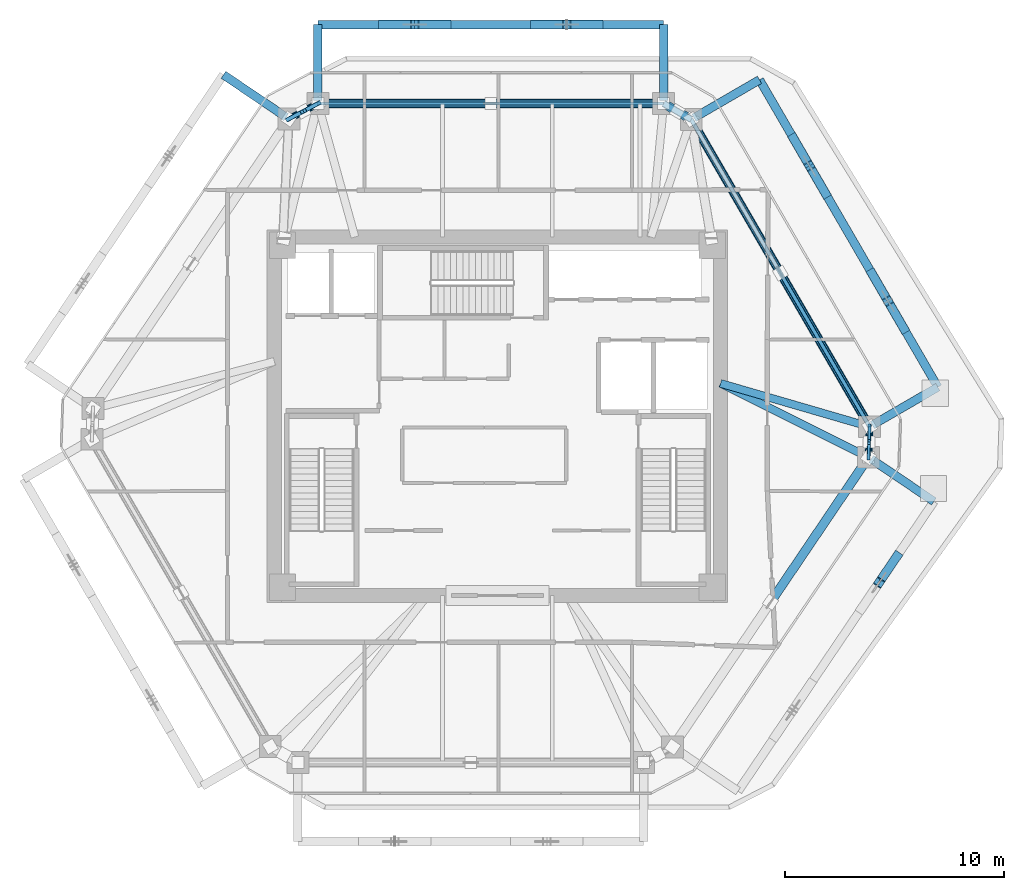
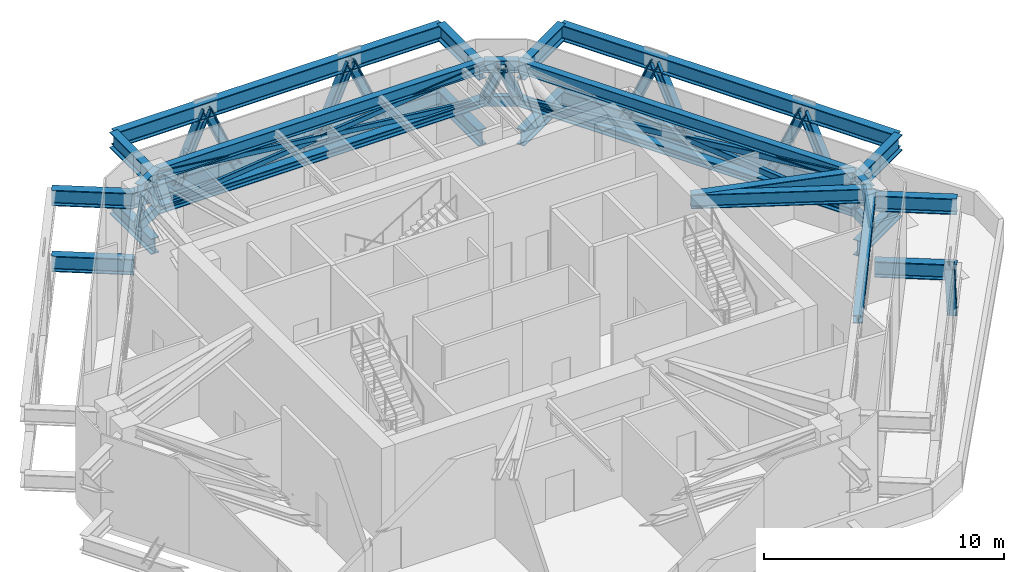
# One storey, part 3 of 10: 26 members, 23 beams.
"""IFC4 building model written with IfcOpenShell, lengths in metres."""

from ifc_helpers import new_model, si_unit, direction, frame, origin, origin_2d, place, context, subcontext, project, spatial, hollow_rectangle, i_section, extrude, source, transform, mapped, material, material_profile, profile_set, type_object, type_shapes, element, save


model = new_model("IFC4")

# Units and contexts
model_context = context("Model", 3, precision=1e-05, world=origin(), true_north=direction((0.0, 1.0)))
body_context = subcontext(model_context, "Body", "Model", "MODEL_VIEW")
ifc_project = project(units=[si_unit("LENGTHUNIT", "METRE"), si_unit("AREAUNIT", "SQUARE_METRE"), si_unit("VOLUMEUNIT", "CUBIC_METRE"), si_unit("PLANEANGLEUNIT", "RADIAN"), si_unit("MASSUNIT", "GRAM", prefix="KILO")], contexts=[model_context])

# Site, building, storey
site_placement = place(None, origin())
site = spatial("IfcSite", under=ifc_project, at=site_placement, CompositionType="ELEMENT")
building_placement = place(site_placement, origin())
building = spatial("IfcBuilding", under=site, at=building_placement, Name="Durnholm Broadcast Tower", CompositionType="ELEMENT")
storey_placement = place(building_placement, frame((0.0, 0.0, 213.39990234375)))
storey = spatial("IfcBuildingStorey", under=building, at=storey_placement, Name="L59", CompositionType="ELEMENT", Elevation=213.39990234375)

# Beams
ifc_material_1 = material(Name="Steel ASTM A992 Grade 50", Category="steel")
ifc_material_profile_1 = material_profile(ifc_material_1, i_section(OverallWidth=0.385009765625, OverallDepth=0.802978515625, WebThickness=0.023681640625, FlangeThickness=0.0419921875, FilletRadius=0.032958984375, at=origin_2d()), Name="W30X261")
ifc_profile_set_1 = profile_set([ifc_material_profile_1], Name="Steel ASTM A992 Grade 50")
beam_type_1 = type_object("IfcBeamType", Name="BM-EXO-TIE", PredefinedType="USERDEFINED", material=ifc_profile_set_1)
shared_shape_1 = source(origin(), body_context, "Body", "SweptSolid", [
    extrude(i_section(OverallWidth=0.385009765625, OverallDepth=0.802978515625, WebThickness=0.023681640625, FlangeThickness=0.0419921875, FilletRadius=0.032958984375, at=origin_2d()), origin(), (0.0, 0.0, 1.0), 3.4560546875),
])
for number, where, z_axis, x_axis, name in (
    (1, (17.0947265625, -0.40380859375, 0.550048828125), (0.864924479231, 0.501902027518, 0.0), (-0.501902027518, 0.864924479231, 0.0), "L59 zone-base exoskeleton stand-off tie bracket F3.1"),
    (2, (17.0947265625, -0.40380859375, 3.90869140625), (0.864924479231, 0.501902027518, 0.0), (-0.501902027518, 0.864924479231, 0.0), "L59 exoskeleton stand-off tie bracket F3.1"),
    (3, (7.57958984375, 14.406005859375, 0.550048828125), (0.0, 1.0, 0.0), (-1.0, 0.0, 0.0), "L59 zone-base exoskeleton stand-off tie bracket F4.1"),
    (4, (-8.187744140625, 14.406005859375, 0.550048828125), (0.0, 1.0, 0.0), (-1.0, 0.0, 0.0), "L59 zone-base exoskeleton stand-off tie bracket F4.2"),
    (5, (7.57958984375, 14.406005859375, 3.90869140625), (0.0, 1.0, 0.0), (-1.0, 0.0, 0.0), "L59 exoskeleton stand-off tie bracket F4.1"),
    (6, (-8.187744140625, 14.406005859375, 3.90869140625), (0.0, 1.0, 0.0), (-1.0, 0.0, 0.0), "L59 exoskeleton stand-off tie bracket F4.2"),
):
    element("IfcBeam", number, at=place(storey_placement, frame(where, z_axis=z_axis, x_axis=x_axis)), inside=storey, type_object=beam_type_1, Name=name, ObjectType="GIRDER", PredefinedType="USERDEFINED", context=body_context, shape_type="MappedRepresentation", body=[
        mapped(shared_shape_1, transform((0.0, 0.0, 0.0), x_axis=(1.0, 0.0, 0.0), y_axis=(0.0, 1.0, 0.0), z_axis=(0.0, 0.0, 1.0), scale=1.0)),
    ])
shared_shape_2 = source(origin(), body_context, "Body", "SweptSolid", [
    extrude(i_section(OverallWidth=0.385009765625, OverallDepth=0.802978515625, WebThickness=0.023681640625, FlangeThickness=0.0419921875, FilletRadius=0.032958984375, at=origin_2d()), origin(), (0.0, 0.0, 1.0), 3.455810546875),
])
for number, where, z_axis, x_axis, name in (
    (7, (17.041748046875, -1.95068359375, 0.550048828125), (0.828446342252, -0.560068440469, 0.0), (0.560068440469, 0.828446342252, 0.0), "L59 zone-base exoskeleton stand-off tie bracket F2.2"),
    (8, (17.041748046875, -1.95068359375, 3.90869140625), (0.828446342252, -0.560068440469, 0.0), (0.560068440469, 0.828446342252, 0.0), "L59 exoskeleton stand-off tie bracket F2.2"),
    (9, (8.9619140625, 13.610107421875, 0.550048828125), (0.864906682814, 0.501932694715, 0.0), (-0.501932694715, 0.864906682814, 0.0), "L59 zone-base exoskeleton stand-off tie bracket F3.2"),
    (10, (8.9619140625, 13.610107421875, 3.90869140625), (0.864906682814, 0.501932694715, 0.0), (-0.501932694715, 0.864906682814, 0.0), "L59 exoskeleton stand-off tie bracket F3.2"),
    (11, (-9.63427734375, 13.637939453125, 0.550048828125), (-0.828446342252, 0.560068440469, 0.0), (-0.560068440469, -0.828446342252, 0.0), "L59 zone-base exoskeleton stand-off tie bracket F5.1"),
    (12, (-9.63427734375, 13.637939453125, 3.90869140625), (-0.828446342252, 0.560068440469, 0.0), (-0.560068440469, -0.828446342252, 0.0), "L59 exoskeleton stand-off tie bracket F5.1"),
):
    element("IfcBeam", number, at=place(storey_placement, frame(where, z_axis=z_axis, x_axis=x_axis)), inside=storey, type_object=beam_type_1, Name=name, ObjectType="GIRDER", PredefinedType="USERDEFINED", context=body_context, shape_type="MappedRepresentation", body=[
        mapped(shared_shape_2, transform((0.0, 0.0, 0.0), x_axis=(1.0, 0.0, 0.0), y_axis=(0.0, 1.0, 0.0), z_axis=(0.0, 0.0, 1.0), scale=1.0)),
    ])
ifc_material_profile_2 = material_profile(ifc_material_1, i_section(OverallWidth=0.3251953125, OverallDepth=0.6162109375, WebThickness=0.013916015625, FlangeThickness=0.021484375, FilletRadius=0.02783203125, at=origin_2d()), Name="W24X117")
ifc_profile_set_2 = profile_set([ifc_material_profile_2], Name="Steel ASTM A992 Grade 50")
beam_type_2 = type_object("IfcBeamType", Name="STL-SP-W24X117", PredefinedType="SPANDREL", material=ifc_profile_set_2)
shared_shape_3 = source(origin(), body_context, "Body", "SweptSolid", [
    extrude(i_section(OverallWidth=0.3251953125, OverallDepth=0.6162109375, WebThickness=0.013916015625, FlangeThickness=0.021484375, FilletRadius=0.02783203125, at=origin_2d()), origin(), (0.0, 0.0, 1.0), 1.39453125),
])
beam_1_placement = place(storey_placement, frame((16.97021484375, -0.47607421875, 4.3369140625), z_axis=(-0.034311541846, -0.999411185697, 0.0), x_axis=(0.999411185697, -0.034311541846, 0.0)))
element("IfcBeam", 13, at=beam_1_placement, inside=storey, type_object=beam_type_2, Name="L59 perimeter spandrel girder 08", PredefinedType="SPANDREL", context=body_context, shape_type="MappedRepresentation", body=[
    mapped(shared_shape_3, transform((0.0, 0.0, 0.0), x_axis=(1.0, 0.0, 0.0), y_axis=(0.0, 1.0, 0.0), z_axis=(0.0, 0.0, 1.0), scale=1.0)),
])
shared_shape_4 = source(origin(), body_context, "Body", "SweptSolid", [
    extrude(i_section(OverallWidth=0.3251953125, OverallDepth=0.6162109375, WebThickness=0.013916015625, FlangeThickness=0.021484375, FilletRadius=0.02783203125, at=origin_2d()), origin(), (0.0, 0.0, 1.0), 1.502685546875),
])
beam_2_placement = place(storey_placement, frame((-9.514892578125, 13.557373046875, 4.3369140625), z_axis=(0.883241909673, 0.468917614296, 0.0), x_axis=(-0.468917614296, 0.883241909673, 0.0)))
element("IfcBeam", 14, at=beam_2_placement, inside=storey, type_object=beam_type_2, Name="L59 perimeter spandrel girder 04", PredefinedType="SPANDREL", context=body_context, shape_type="MappedRepresentation", body=[
    mapped(shared_shape_4, transform((0.0, 0.0, 0.0), x_axis=(1.0, 0.0, 0.0), y_axis=(0.0, 1.0, 0.0), z_axis=(0.0, 0.0, 1.0), scale=1.0)),
])
shared_shape_5 = source(origin(), body_context, "Body", "SweptSolid", [
    extrude(i_section(OverallWidth=0.3251953125, OverallDepth=0.6162109375, WebThickness=0.013916015625, FlangeThickness=0.021484375, FilletRadius=0.02783203125, at=origin_2d()), origin(), (0.0, 0.0, 1.0), 15.767333984375),
])
beam_3_placement = place(storey_placement, frame((-8.187744140625, 14.261962890625, 4.3369140625), z_axis=(1.0, 0.0, 0.0), x_axis=(0.0, 1.0, 0.0)))
element("IfcBeam", 15, at=beam_3_placement, inside=storey, type_object=beam_type_2, Name="L59 perimeter spandrel girder 05", PredefinedType="SPANDREL", context=body_context, shape_type="MappedRepresentation", body=[
    mapped(shared_shape_5, transform((0.0, 0.0, 0.0), x_axis=(1.0, 0.0, 0.0), y_axis=(0.0, 1.0, 0.0), z_axis=(0.0, 0.0, 1.0), scale=1.0)),
])
shared_shape_6 = source(origin(), body_context, "Body", "SweptSolid", [
    extrude(i_section(OverallWidth=0.3251953125, OverallDepth=0.6162109375, WebThickness=0.013916015625, FlangeThickness=0.021484375, FilletRadius=0.02783203125, at=origin_2d()), origin(), (0.0, 0.0, 1.0), 1.451416015625),
])
beam_4_placement = place(storey_placement, frame((7.57958984375, 14.261962890625, 4.3369140625), z_axis=(0.866571760088, -0.499052486836, 0.0), x_axis=(0.499052486836, 0.866571760088, 0.0)))
element("IfcBeam", 16, at=beam_4_placement, inside=storey, type_object=beam_type_2, Name="L59 perimeter spandrel girder 06", PredefinedType="SPANDREL", context=body_context, shape_type="MappedRepresentation", body=[
    mapped(shared_shape_6, transform((0.0, 0.0, 0.0), x_axis=(1.0, 0.0, 0.0), y_axis=(0.0, 1.0, 0.0), z_axis=(0.0, 0.0, 1.0), scale=1.0)),
])
shared_shape_7 = source(origin(), body_context, "Body", "SweptSolid", [
    extrude(i_section(OverallWidth=0.3251953125, OverallDepth=0.6162109375, WebThickness=0.013916015625, FlangeThickness=0.021484375, FilletRadius=0.02783203125, at=origin_2d()), origin(), (0.0, 0.0, 1.0), 16.20263671875),
])
type_shapes(beam_type_2, [shared_shape_3, shared_shape_4, shared_shape_5, shared_shape_6, shared_shape_7])
beam_5_placement = place(storey_placement, frame((8.83740234375, 13.53759765625, 4.3369140625), z_axis=(0.501943573333, -0.864900369516, 0.0), x_axis=(0.864900369516, 0.501943573333, 0.0)))
element("IfcBeam", 17, at=beam_5_placement, inside=storey, type_object=beam_type_2, Name="L59 perimeter spandrel girder 07", PredefinedType="SPANDREL", context=body_context, shape_type="MappedRepresentation", body=[
    mapped(shared_shape_7, transform((0.0, 0.0, 0.0), x_axis=(1.0, 0.0, 0.0), y_axis=(0.0, 1.0, 0.0), z_axis=(0.0, 0.0, 1.0), scale=1.0)),
])
ifc_material_profile_3 = material_profile(ifc_material_1, i_section(OverallWidth=0.3564453125, OverallDepth=0.713623046875, WebThickness=0.01904296875, FlangeThickness=0.033935546875, FilletRadius=0.030517578125, at=origin_2d()), Name="W27X194")
ifc_profile_set_3 = profile_set([ifc_material_profile_3], Name="Steel ASTM A992 Grade 50")
beam_type_3 = type_object("IfcBeamType", Name="STL-GR-W27X194", PredefinedType="USERDEFINED", material=ifc_profile_set_3)
shared_shape_8 = source(origin(), body_context, "Body", "SweptSolid", [
    extrude(i_section(OverallWidth=0.3564453125, OverallDepth=0.713623046875, WebThickness=0.01904296875, FlangeThickness=0.033935546875, FilletRadius=0.030517578125, at=origin_2d()), origin(), (0.0, 0.0, 1.0), 7.07666015625),
])
beam_6_placement = place(storey_placement, frame((10.175048828125, 1.5, 4.288330078125), z_axis=(0.960221873935, -0.279238165043, 0.0), x_axis=(0.279238165043, 0.960221873935, 0.0)))
element("IfcBeam", 18, at=beam_6_placement, inside=storey, type_object=beam_type_3, Name="L59 radial primary floor girder 08", ObjectType="GIRDER", PredefinedType="USERDEFINED", context=body_context, shape_type="MappedRepresentation", body=[
    mapped(shared_shape_8, transform((0.0, 0.0, 0.0), x_axis=(1.0, 0.0, 0.0), y_axis=(0.0, 1.0, 0.0), z_axis=(0.0, 0.0, 1.0), scale=1.0)),
])
shared_shape_9 = source(origin(), body_context, "Body", "SweptSolid", [
    extrude(i_section(OverallWidth=0.3564453125, OverallDepth=0.713623046875, WebThickness=0.01904296875, FlangeThickness=0.033935546875, FilletRadius=0.030517578125, at=origin_2d()), origin(), (0.0, 0.0, 1.0), 7.5419921875),
])
type_shapes(beam_type_3, [shared_shape_8, shared_shape_9])
beam_7_placement = place(storey_placement, frame((10.175048828125, 1.5, 4.288330078125), z_axis=(0.894627798994, -0.446812154341, 0.0), x_axis=(0.446812154341, 0.894627798994, 0.0)))
element("IfcBeam", 19, at=beam_7_placement, inside=storey, type_object=beam_type_3, Name="L59 radial primary floor girder 09", ObjectType="GIRDER", PredefinedType="USERDEFINED", context=body_context, shape_type="MappedRepresentation", body=[
    mapped(shared_shape_9, transform((0.0, 0.0, 0.0), x_axis=(1.0, 0.0, 0.0), y_axis=(0.0, 1.0, 0.0), z_axis=(0.0, 0.0, 1.0), scale=1.0)),
])

# Members
ifc_material_2 = material(Name="Steel ASTM A500 Grade C", Category="steel")
ifc_material_profile_4 = material_profile(ifc_material_2, hollow_rectangle(XDim=0.3046875, YDim=0.508056640625, WallThickness=0.014892578125, InnerFilletRadius=0.022216796875, OuterFilletRadius=0.037109375, at=origin_2d()), Name="HSS20X12X5/8")
ifc_profile_set_4 = profile_set([ifc_material_profile_4], Name="Steel ASTM A500 Grade C")
member_type_1 = type_object("IfcMemberType", Name="STL-TC-HSS20X12", PredefinedType="CHORD", material=ifc_profile_set_4)
shared_shape_10 = source(origin(), body_context, "Body", "SweptSolid", [
    extrude(hollow_rectangle(XDim=0.3046875, YDim=0.508056640625, WallThickness=0.014892578125, InnerFilletRadius=0.022216796875, OuterFilletRadius=0.037109375, at=origin_2d()), origin(), (0.0, 0.0, 1.0), 1.39453125),
])
member_1_placement = place(storey_placement, frame((16.97021484375, -0.47607421875, 2.550048828125), z_axis=(-0.034311541846, -0.999411185697, 0.0), x_axis=(0.999411185697, -0.034311541846, 0.0)))
element("IfcMember", 20, at=member_1_placement, inside=storey, type_object=member_type_1, Name="L59 perimeter belt-truss bottom chord 08", PredefinedType="CHORD", context=body_context, shape_type="MappedRepresentation", body=[
    mapped(shared_shape_10, transform((0.0, 0.0, 0.0), x_axis=(1.0, 0.0, 0.0), y_axis=(0.0, 1.0, 0.0), z_axis=(0.0, 0.0, 1.0), scale=1.0)),
])
ifc_material_profile_5 = material_profile(ifc_material_2, hollow_rectangle(XDim=0.15234375, YDim=0.25390625, WallThickness=0.0087890625, InnerFilletRadius=0.013427734375, OuterFilletRadius=0.022216796875, at=origin_2d()), Name="HSS10X6X3/8")
ifc_profile_set_5 = profile_set([ifc_material_profile_5], Name="Steel ASTM A500 Grade C")
member_type_2 = type_object("IfcMemberType", Name="STL-TB-HSS10X6", PredefinedType="BRACE", material=ifc_profile_set_5)
shared_shape_11 = source(origin(), body_context, "Body", "SweptSolid", [
    extrude(hollow_rectangle(XDim=0.15234375, YDim=0.25390625, WallThickness=0.0087890625, InnerFilletRadius=0.013427734375, OuterFilletRadius=0.022216796875, at=origin_2d()), origin(), (0.0, 0.0, 1.0), 1.89306640625),
])
for number, where, z_axis, x_axis, name in (
    (21, (16.97021484375, -0.47607421875, 2.550048828125), (-0.012638029194, -0.3681793199, 0.929668902683), (0.999411391737, -0.034305539891, 0.0), "L59 belt-truss chevron brace 08.1"),
    (22, (16.92236328125, -1.869873046875, 2.550048828125), (0.012638629188, 0.368067833712, 0.929713038974), (-0.999410979549, 0.034317545899, 0.0), "L59 belt-truss chevron brace 08.2"),
):
    element("IfcMember", number, at=place(storey_placement, frame(where, z_axis=z_axis, x_axis=x_axis)), inside=storey, type_object=member_type_2, Name=name, PredefinedType="BRACE", context=body_context, shape_type="MappedRepresentation", body=[
        mapped(shared_shape_11, transform((0.0, 0.0, 0.0), x_axis=(1.0, 0.0, 0.0), y_axis=(0.0, 1.0, 0.0), z_axis=(0.0, 0.0, 1.0), scale=1.0)),
    ])
ifc_material_3 = material(Name="Steel ASTM A913 Grade 65", Category="steel")
ifc_material_profile_6 = material_profile(ifc_material_3, i_section(OverallWidth=0.412109375, OverallDepth=0.434814453125, WebThickness=0.035888671875, FlangeThickness=0.057373046875, FilletRadius=0.030517578125, at=origin_2d()), Name="W14X311")
ifc_profile_set_6 = profile_set([ifc_material_profile_6], Name="Steel ASTM A913 Grade 65")
member_type_3 = type_object("IfcMemberType", Name="STL-DG-W14X311", PredefinedType="BRACE", material=ifc_profile_set_6)
shared_shape_12 = source(origin(), body_context, "Body", "SweptSolid", [
    extrude(i_section(OverallWidth=0.412109375, OverallDepth=0.434814453125, WebThickness=0.035888671875, FlangeThickness=0.057373046875, FilletRadius=0.030517578125, at=origin_2d()), origin(), (0.0, 0.0, 1.0), 8.02197265625),
])
member_2_placement = place(storey_placement, frame((12.45654296875, -8.4755859375, 3.43017578125), z_axis=(0.556693579954, 0.823445123158, 0.109683121701), x_axis=(-0.828443449323, 0.56007271963, 0.0)))
element("IfcMember", 23, at=member_2_placement, inside=storey, type_object=member_type_3, Name="L59 belt-truss split X-diagonal segment 09.2", PredefinedType="BRACE", context=body_context, shape_type="MappedRepresentation", body=[
    mapped(shared_shape_12, transform((0.0, 0.0, 0.0), x_axis=(1.0, 0.0, 0.0), y_axis=(0.0, 1.0, 0.0), z_axis=(0.0, 0.0, 1.0), scale=1.0)),
])
shared_shape_13 = source(origin(), body_context, "Body", "SweptSolid", [
    extrude(hollow_rectangle(XDim=0.3046875, YDim=0.508056640625, WallThickness=0.014892578125, InnerFilletRadius=0.022216796875, OuterFilletRadius=0.037109375, at=origin_2d()), origin(), (0.0, 0.0, 1.0), 1.502685546875),
])
member_3_placement = place(storey_placement, frame((-9.514892578125, 13.557373046875, 2.550048828125), z_axis=(0.883241909673, 0.468917614296, 0.0), x_axis=(-0.468917614296, 0.883241909673, 0.0)))
element("IfcMember", 24, at=member_3_placement, inside=storey, type_object=member_type_1, Name="L59 perimeter belt-truss bottom chord 04", PredefinedType="CHORD", context=body_context, shape_type="MappedRepresentation", body=[
    mapped(shared_shape_13, transform((0.0, 0.0, 0.0), x_axis=(1.0, 0.0, 0.0), y_axis=(0.0, 1.0, 0.0), z_axis=(0.0, 0.0, 1.0), scale=1.0)),
])
ifc_material_profile_7 = material_profile(ifc_material_2, hollow_rectangle(XDim=0.203125, YDim=0.3046875, WallThickness=0.01171875, InnerFilletRadius=0.017578125, OuterFilletRadius=0.029541015625, at=origin_2d()), Name="HSS12X8X1/2")
ifc_profile_set_7 = profile_set([ifc_material_profile_7], Name="Steel ASTM A500 Grade C")
member_type_4 = type_object("IfcMemberType", Name="STL-TB-HSS12X8", PredefinedType="BRACE", material=ifc_profile_set_7)
shared_shape_14 = source(origin(), body_context, "Body", "SweptSolid", [
    extrude(hollow_rectangle(XDim=0.203125, YDim=0.3046875, WallThickness=0.01171875, InnerFilletRadius=0.017578125, OuterFilletRadius=0.029541015625, at=origin_2d()), origin(), (0.0, 0.0, 1.0), 1.91357421875),
])
for number, where, z_axis, x_axis, name in (
    (25, (-9.514892578125, 13.557373046875, 2.550048828125), (0.346757432484, 0.184095281484, 0.919710938476), (-0.468917614296, 0.883241909673, 0.0), "L59 belt-truss chevron brace 04.1"),
    (26, (-8.187744140625, 14.261962890625, 2.550048828125), (-0.346757432484, -0.184095281484, 0.919710938476), (0.468917614296, -0.883241909673, 0.0), "L59 belt-truss chevron brace 04.2"),
):
    element("IfcMember", number, at=place(storey_placement, frame(where, z_axis=z_axis, x_axis=x_axis)), inside=storey, type_object=member_type_4, Name=name, PredefinedType="BRACE", context=body_context, shape_type="MappedRepresentation", body=[
        mapped(shared_shape_14, transform((0.0, 0.0, 0.0), x_axis=(1.0, 0.0, 0.0), y_axis=(0.0, 1.0, 0.0), z_axis=(0.0, 0.0, 1.0), scale=1.0)),
    ])
ifc_material_profile_8 = material_profile(ifc_material_1, i_section(OverallWidth=0.4013671875, OverallDepth=0.3994140625, WebThickness=0.02490234375, FlangeThickness=0.03955078125, FilletRadius=0.030517578125, at=origin_2d()), Name="W14X211")
ifc_profile_set_8 = profile_set([ifc_material_profile_8], Name="Steel ASTM A992 Grade 50")
member_type_5 = type_object("IfcMemberType", Name="STL-TC-W14X211", PredefinedType="CHORD", material=ifc_profile_set_8)
shared_shape_15 = source(origin(), body_context, "Body", "SweptSolid", [
    extrude(i_section(OverallWidth=0.4013671875, OverallDepth=0.3994140625, WebThickness=0.02490234375, FlangeThickness=0.03955078125, FilletRadius=0.030517578125, at=origin_2d()), origin(), (0.0, 0.0, 1.0), 15.767333984375),
])
member_4_placement = place(storey_placement, frame((-8.187744140625, 14.261962890625, 2.550048828125), z_axis=(1.0, 0.0, 0.0), x_axis=(0.0, 1.0, 0.0)))
element("IfcMember", 27, at=member_4_placement, inside=storey, type_object=member_type_5, Name="L59 perimeter belt-truss bottom chord 05", PredefinedType="CHORD", context=body_context, shape_type="MappedRepresentation", body=[
    mapped(shared_shape_15, transform((0.0, 0.0, 0.0), x_axis=(1.0, 0.0, 0.0), y_axis=(0.0, 1.0, 0.0), z_axis=(0.0, 0.0, 1.0), scale=1.0)),
])
shared_shape_16 = source(origin(), body_context, "Body", "SweptSolid", [
    extrude(hollow_rectangle(XDim=0.15234375, YDim=0.25390625, WallThickness=0.0087890625, InnerFilletRadius=0.013427734375, OuterFilletRadius=0.022216796875, at=origin_2d()), origin(), (0.0, 0.0, 1.0), 15.865234375),
])
member_5_placement = place(storey_placement, frame((-8.187744140625, 14.261962890625, 2.550048828125), z_axis=(0.993827683611, 0.0, 0.110934824507), x_axis=(0.0, 1.0, 0.0)))
element("IfcMember", 28, at=member_5_placement, inside=storey, type_object=member_type_2, Name="L59 belt-truss continuous X-diagonal brace 05", PredefinedType="BRACE", context=body_context, shape_type="MappedRepresentation", body=[
    mapped(shared_shape_16, transform((0.0, 0.0, 0.0), x_axis=(1.0, 0.0, 0.0), y_axis=(0.0, 1.0, 0.0), z_axis=(0.0, 0.0, 1.0), scale=1.0)),
])
shared_shape_17 = source(origin(), body_context, "Body", "SweptSolid", [
    extrude(hollow_rectangle(XDim=0.15234375, YDim=0.25390625, WallThickness=0.0087890625, InnerFilletRadius=0.013427734375, OuterFilletRadius=0.022216796875, at=origin_2d()), origin(), (0.0, 0.0, 1.0), 7.9326171875),
])
type_shapes(member_type_2, [shared_shape_11, shared_shape_16, shared_shape_17])
for number, where, z_axis, x_axis, name in (
    (29, (7.57958984375, 14.261962890625, 2.550048828125), (-0.993825797494, 0.0, 0.110951720292), (0.0, -1.0, 0.0), "L59 belt-truss split X-diagonal segment 05.1"),
    (30, (-0.303955078125, 14.261962890625, 3.43017578125), (-0.99382956939, 0.0, 0.110917929149), (0.0, -1.0, 0.0), "L59 belt-truss split X-diagonal segment 05.2"),
):
    element("IfcMember", number, at=place(storey_placement, frame(where, z_axis=z_axis, x_axis=x_axis)), inside=storey, type_object=member_type_2, Name=name, PredefinedType="BRACE", context=body_context, shape_type="MappedRepresentation", body=[
        mapped(shared_shape_17, transform((0.0, 0.0, 0.0), x_axis=(1.0, 0.0, 0.0), y_axis=(0.0, 1.0, 0.0), z_axis=(0.0, 0.0, 1.0), scale=1.0)),
    ])
shared_shape_18 = source(origin(), body_context, "Body", "SweptSolid", [
    extrude(hollow_rectangle(XDim=0.3046875, YDim=0.508056640625, WallThickness=0.014892578125, InnerFilletRadius=0.022216796875, OuterFilletRadius=0.037109375, at=origin_2d()), origin(), (0.0, 0.0, 1.0), 1.451416015625),
])
type_shapes(member_type_1, [shared_shape_10, shared_shape_13, shared_shape_18])
member_6_placement = place(storey_placement, frame((7.57958984375, 14.261962890625, 2.550048828125), z_axis=(0.866571760088, -0.499052486836, 0.0), x_axis=(0.499052486836, 0.866571760088, 0.0)))
element("IfcMember", 31, at=member_6_placement, inside=storey, type_object=member_type_1, Name="L59 perimeter belt-truss bottom chord 06", PredefinedType="CHORD", context=body_context, shape_type="MappedRepresentation", body=[
    mapped(shared_shape_18, transform((0.0, 0.0, 0.0), x_axis=(1.0, 0.0, 0.0), y_axis=(0.0, 1.0, 0.0), z_axis=(0.0, 0.0, 1.0), scale=1.0)),
])
shared_shape_19 = source(origin(), body_context, "Body", "SweptSolid", [
    extrude(i_section(OverallWidth=0.412109375, OverallDepth=0.434814453125, WebThickness=0.035888671875, FlangeThickness=0.057373046875, FilletRadius=0.030517578125, at=origin_2d()), origin(), (0.0, 0.0, 1.0), 1.90380859375),
])
type_shapes(member_type_3, [shared_shape_12, shared_shape_19])
for number, where, z_axis, x_axis, name in (
    (32, (7.57958984375, 14.261962890625, 2.550048828125), (0.33035213611, -0.190183314383, 0.924498660409), (0.49892616093, 0.866644498015, 0.0), "L59 belt-truss chevron brace 06.1"),
    (33, (8.83740234375, 13.53759765625, 2.550048828125), (-0.33034407655, 0.190306913665, 0.924476105532), (-0.499178780935, -0.866499015963, 0.0), "L59 belt-truss chevron brace 06.2"),
):
    element("IfcMember", number, at=place(storey_placement, frame(where, z_axis=z_axis, x_axis=x_axis)), inside=storey, type_object=member_type_3, Name=name, PredefinedType="BRACE", context=body_context, shape_type="MappedRepresentation", body=[
        mapped(shared_shape_19, transform((0.0, 0.0, 0.0), x_axis=(1.0, 0.0, 0.0), y_axis=(0.0, 1.0, 0.0), z_axis=(0.0, 0.0, 1.0), scale=1.0)),
    ])
shared_shape_20 = source(origin(), body_context, "Body", "SweptSolid", [
    extrude(i_section(OverallWidth=0.4013671875, OverallDepth=0.3994140625, WebThickness=0.02490234375, FlangeThickness=0.03955078125, FilletRadius=0.030517578125, at=origin_2d()), origin(), (0.0, 0.0, 1.0), 16.20263671875),
])
type_shapes(member_type_5, [shared_shape_15, shared_shape_20])
member_7_placement = place(storey_placement, frame((8.83740234375, 13.53759765625, 2.550048828125), z_axis=(0.501943573333, -0.864900369516, 0.0), x_axis=(0.864900369516, 0.501943573333, 0.0)))
element("IfcMember", 34, at=member_7_placement, inside=storey, type_object=member_type_5, Name="L59 perimeter belt-truss bottom chord 07", PredefinedType="CHORD", context=body_context, shape_type="MappedRepresentation", body=[
    mapped(shared_shape_20, transform((0.0, 0.0, 0.0), x_axis=(1.0, 0.0, 0.0), y_axis=(0.0, 1.0, 0.0), z_axis=(0.0, 0.0, 1.0), scale=1.0)),
])
shared_shape_21 = source(origin(), body_context, "Body", "SweptSolid", [
    extrude(hollow_rectangle(XDim=0.203125, YDim=0.3046875, WallThickness=0.01171875, InnerFilletRadius=0.017578125, OuterFilletRadius=0.029541015625, at=origin_2d()), origin(), (0.0, 0.0, 1.0), 16.2978515625),
])
member_8_placement = place(storey_placement, frame((8.83740234375, 13.53759765625, 2.550048828125), z_axis=(0.499008218101, -0.859842450738, 0.107989620686), x_axis=(0.864900369516, 0.501943573333, 0.0)))
element("IfcMember", 35, at=member_8_placement, inside=storey, type_object=member_type_4, Name="L59 belt-truss continuous X-diagonal brace 07", PredefinedType="BRACE", context=body_context, shape_type="MappedRepresentation", body=[
    mapped(shared_shape_21, transform((0.0, 0.0, 0.0), x_axis=(1.0, 0.0, 0.0), y_axis=(0.0, 1.0, 0.0), z_axis=(0.0, 0.0, 1.0), scale=1.0)),
])
shared_shape_22 = source(origin(), body_context, "Body", "SweptSolid", [
    extrude(hollow_rectangle(XDim=0.203125, YDim=0.3046875, WallThickness=0.01171875, InnerFilletRadius=0.017578125, OuterFilletRadius=0.029541015625, at=origin_2d()), origin(), (0.0, 0.0, 1.0), 8.14892578125),
])
type_shapes(member_type_4, [shared_shape_14, shared_shape_21, shared_shape_22])
member_9_placement = place(storey_placement, frame((16.97021484375, -0.47607421875, 2.550048828125), z_axis=(-0.499007410818, 0.859841059707, 0.108004425792), x_axis=(-0.864900369516, -0.501943573333, 0.0)))
element("IfcMember", 36, at=member_9_placement, inside=storey, type_object=member_type_4, Name="L59 belt-truss split X-diagonal segment 07.1", PredefinedType="BRACE", context=body_context, shape_type="MappedRepresentation", body=[
    mapped(shared_shape_22, transform((0.0, 0.0, 0.0), x_axis=(1.0, 0.0, 0.0), y_axis=(0.0, 1.0, 0.0), z_axis=(0.0, 0.0, 1.0), scale=1.0)),
])
ifc_material_profile_9 = material_profile(ifc_material_3, i_section(OverallWidth=0.40625, OverallDepth=0.416015625, WebThickness=0.02978515625, FlangeThickness=0.048095703125, FilletRadius=0.030517578125, at=origin_2d()), Name="W14X257")
ifc_profile_set_9 = profile_set([ifc_material_profile_9], Name="Steel ASTM A913 Grade 65")
member_type_6 = type_object("IfcMemberType", Name="STL-DG-W14X257", PredefinedType="BRACE", material=ifc_profile_set_9)
shared_shape_23 = source(origin(), body_context, "Body", "SweptSolid", [
    extrude(i_section(OverallWidth=0.40625, OverallDepth=0.416015625, WebThickness=0.02978515625, FlangeThickness=0.048095703125, FilletRadius=0.030517578125, at=origin_2d()), origin(), (0.0, 0.0, 1.0), 3.66162109375),
])
for number, where, z_axis, x_axis, name in (
    (37, (18.220703125, -6.377197265625, 0.550048828125), (-0.223036294428, -0.329920354209, 0.917282601627), (0.828452496411, -0.560059337206, 0.0), "L59 stand-off diagrid brace F2.D2.2"),
    (38, (18.53857421875, 3.99365234375, 0.550048828125), (-0.199897493681, 0.344453119532, 0.917274790052), (-0.864906184135, -0.501933554014, 0.0), "L59 stand-off diagrid brace F3.D1.1"),
    (39, (17.07470703125, 6.51611328125, 0.550048828125), (0.199897493681, -0.344453119532, 0.917274790052), (0.864906184135, 0.501933554014, 0.0), "L59 stand-off diagrid brace F3.D1.2"),
    (40, (14.960205078125, 10.15966796875, 0.550048828125), (-0.199897493681, 0.344453119532, 0.917274790052), (-0.864906184135, -0.501933554014, 0.0), "L59 stand-off diagrid brace F3.D2.1"),
    (41, (4.623046875, 17.862060546875, 0.550048828125), (-0.398260382622, 0.0, 0.91727240645), (0.0, -1.0, 0.0), "L59 stand-off diagrid brace F4.D1.1"),
    (42, (1.70654296875, 17.862060546875, 0.550048828125), (0.398260382622, 0.0, 0.91727240645), (0.0, 1.0, 0.0), "L59 stand-off diagrid brace F4.D1.2"),
    (43, (-5.23095703125, 17.862060546875, 0.550048828125), (0.398260382622, 0.0, 0.91727240645), (0.0, 1.0, 0.0), "L59 stand-off diagrid brace F4.D2.2"),
):
    element("IfcMember", number, at=place(storey_placement, frame(where, z_axis=z_axis, x_axis=x_axis)), inside=storey, type_object=member_type_6, Name=name, PredefinedType="BRACE", context=body_context, shape_type="MappedRepresentation", body=[
        mapped(shared_shape_23, transform((0.0, 0.0, 0.0), x_axis=(1.0, 0.0, 0.0), y_axis=(0.0, 1.0, 0.0), z_axis=(0.0, 0.0, 1.0), scale=1.0)),
    ])
shared_shape_24 = source(origin(), body_context, "Body", "SweptSolid", [
    extrude(i_section(OverallWidth=0.40625, OverallDepth=0.416015625, WebThickness=0.02978515625, FlangeThickness=0.048095703125, FilletRadius=0.030517578125, at=origin_2d()), origin(), (0.0, 0.0, 1.0), 3.661376953125),
])
type_shapes(member_type_6, [shared_shape_23, shared_shape_24])
for number, where, z_axis, x_axis, name in (
    (44, (13.496337890625, 12.681884765625, 0.550048828125), (0.199902084458, -0.344394351642, 0.917295855865), (0.864863994925, 0.502006245263, 0.0), "L59 stand-off diagrid brace F3.D2.2"),
    (45, (-2.314697265625, 17.862060546875, 0.550048828125), (-0.398204279303, 0.0, 0.917296763291), (0.0, -1.0, 0.0), "L59 stand-off diagrid brace F4.D2.1"),
):
    element("IfcMember", number, at=place(storey_placement, frame(where, z_axis=z_axis, x_axis=x_axis)), inside=storey, type_object=member_type_6, Name=name, PredefinedType="BRACE", context=body_context, shape_type="MappedRepresentation", body=[
        mapped(shared_shape_24, transform((0.0, 0.0, 0.0), x_axis=(1.0, 0.0, 0.0), y_axis=(0.0, 1.0, 0.0), z_axis=(0.0, 0.0, 1.0), scale=1.0)),
    ])

# Beams
shared_shape_25 = source(origin(), body_context, "Body", "SweptSolid", [
    extrude(i_section(OverallWidth=0.385009765625, OverallDepth=0.802978515625, WebThickness=0.023681640625, FlangeThickness=0.0419921875, FilletRadius=0.032958984375, at=origin_2d()), origin(), (0.0, 0.0, 1.0), 16.202880859375),
])
for number, where, z_axis, x_axis, name in (
    (46, (20.083984375, 1.330810546875, 0.550048828125), (-0.501948303381, 0.864897624423, 0.0), (-0.864897624423, -0.501948303381, 0.0), "L59 zone-base exoskeleton collector spandrel F3"),
    (47, (20.083984375, 1.330810546875, 3.90869140625), (-0.501948303381, 0.864897624423, 0.0), (-0.864897624423, -0.501948303381, 0.0), "L59 exoskeleton collector spandrel F3"),
):
    element("IfcBeam", number, at=place(storey_placement, frame(where, z_axis=z_axis, x_axis=x_axis)), inside=storey, type_object=beam_type_1, Name=name, PredefinedType="SPANDREL", context=body_context, shape_type="MappedRepresentation", body=[
        mapped(shared_shape_25, transform((0.0, 0.0, 0.0), x_axis=(1.0, 0.0, 0.0), y_axis=(0.0, 1.0, 0.0), z_axis=(0.0, 0.0, 1.0), scale=1.0)),
    ])
shared_shape_26 = source(origin(), body_context, "Body", "SweptSolid", [
    extrude(i_section(OverallWidth=0.385009765625, OverallDepth=0.802978515625, WebThickness=0.023681640625, FlangeThickness=0.0419921875, FilletRadius=0.032958984375, at=origin_2d()), origin(), (0.0, 0.0, 1.0), 15.767333984375),
])
type_shapes(beam_type_1, [shared_shape_1, shared_shape_2, shared_shape_25, shared_shape_26])
for number, where, z_axis, x_axis, name in (
    (48, (7.57958984375, 17.862060546875, 0.550048828125), (-1.0, 0.0, 0.0), (0.0, -1.0, 0.0), "L59 zone-base exoskeleton collector spandrel F4"),
    (49, (7.57958984375, 17.862060546875, 3.90869140625), (-1.0, 0.0, 0.0), (0.0, -1.0, 0.0), "L59 exoskeleton collector spandrel F4"),
):
    element("IfcBeam", number, at=place(storey_placement, frame(where, z_axis=z_axis, x_axis=x_axis)), inside=storey, type_object=beam_type_1, Name=name, PredefinedType="SPANDREL", context=body_context, shape_type="MappedRepresentation", body=[
        mapped(shared_shape_26, transform((0.0, 0.0, 0.0), x_axis=(1.0, 0.0, 0.0), y_axis=(0.0, 1.0, 0.0), z_axis=(0.0, 0.0, 1.0), scale=1.0)),
    ])

save(model, "model.ifc")
